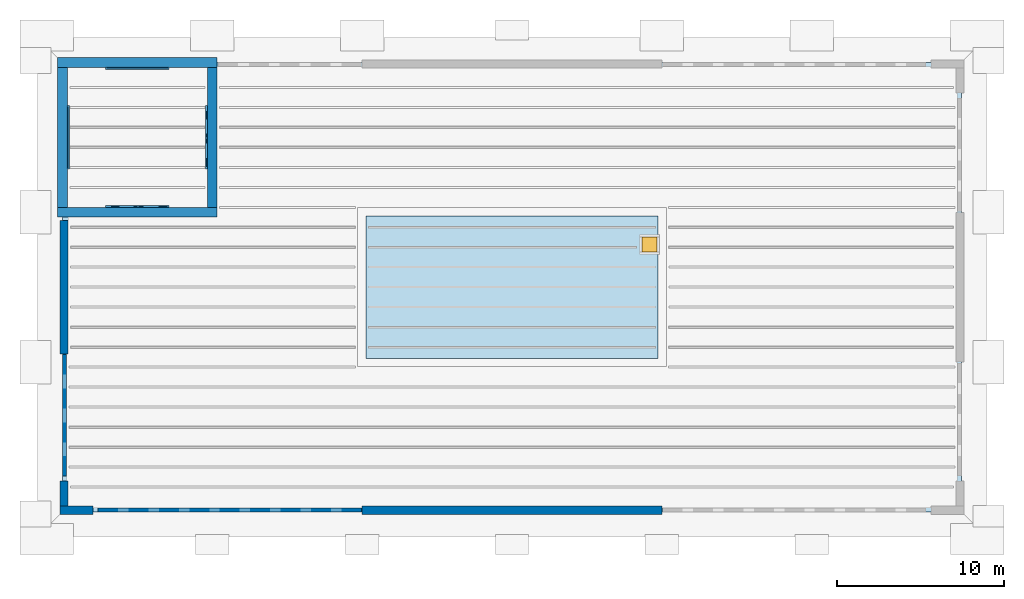
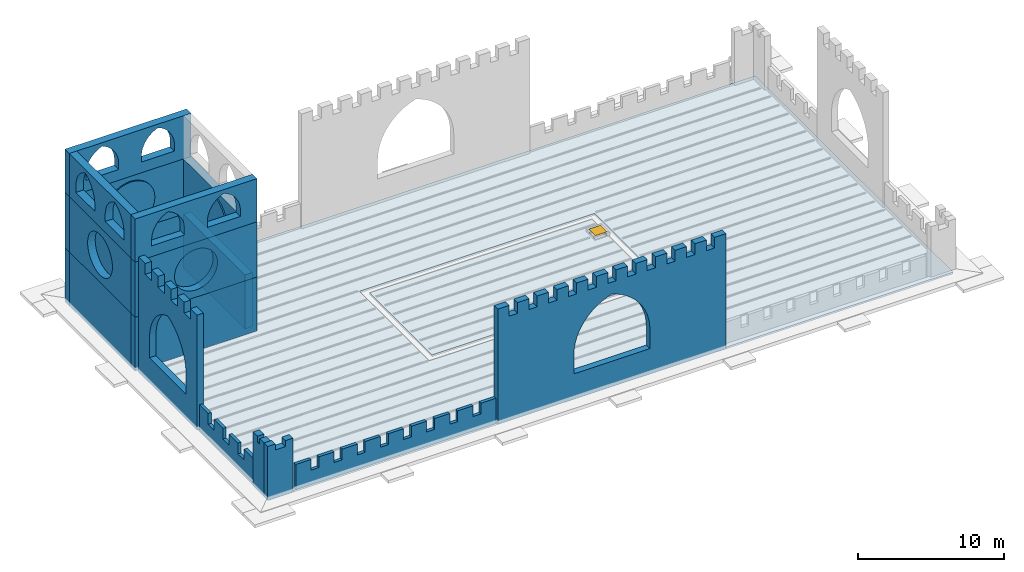
"""IFC4 building model written with IfcOpenShell, lengths in metres."""

from ifc_helpers import new_model, si_unit, direction, frame, origin, origin_2d, place, context, subcontext, project, spatial, polyline, rectangle, outline, extrude, material, layer, layer_set, type_object, element, fill, save


model = new_model("IFC4")

# Units and contexts
model_context = context("Model", 3, precision=1e-05, world=origin(), true_north=direction((0.0, 1.0)))
body_context = subcontext(model_context, "Body", "Model", "MODEL_VIEW")
ifc_project = project(units=[si_unit("LENGTHUNIT", "METRE"), si_unit("AREAUNIT", "SQUARE_METRE"), si_unit("VOLUMEUNIT", "CUBIC_METRE"), si_unit("PLANEANGLEUNIT", "RADIAN"), si_unit("MASSUNIT", "GRAM", prefix="KILO")], contexts=[model_context])

# Site, building, storey
site_placement = place(None, origin())
site = spatial("IfcSite", under=ifc_project, at=site_placement, CompositionType="ELEMENT")
building_placement = place(site_placement, origin())
building = spatial("IfcBuilding", under=site, at=building_placement, Name="Baradari Gate Terminus", CompositionType="ELEMENT")
storey_1_placement = place(building_placement, frame((0.0, 0.0, 36.89990234375)))
storey_1 = spatial("IfcBuildingStorey", under=building, at=storey_1_placement, Name="ROOF", CompositionType="ELEMENT", Elevation=36.89990234375)

# Plates
ifc_material_1 = material(Name="Aluminium 6063-T6", Category="aluminium")
ifc_layer_1 = layer(ifc_material_1, 0.10009765625)
ifc_layer_set_1 = layer_set([ifc_layer_1], Name="Aluminium 6063-T6")
plate_type = type_object("IfcPlateType", Name="Clock dial plate CK-D 3800 dia", PredefinedType="SHEET", material=ifc_layer_set_1)
for number, where, z_axis, x_axis, name in (
    (1, (11.60009765625, 143.64990234375, 4.900146484375), (0.0, 0.0, 1.0), (1.0, 0.0, 0.0), "Clock dial N"),
    (2, (11.60009765625, 135.35009765625, 4.900146484375), (0.0, 0.0, 1.0), (1.0, 0.0, 0.0), "Clock dial S"),
    (3, (17.64990234375, 137.60009765625, 4.900146484375), (0.0, 0.0, 1.0), (0.0, 1.0, 0.0), "Clock dial E"),
    (4, (9.35009765625, 137.60009765625, 4.900146484375), (0.0, 0.0, 1.0), (0.0, 1.0, 0.0), "Clock dial W"),
):
    element("IfcPlate", number, at=place(storey_1_placement, frame(where, z_axis=z_axis, x_axis=x_axis)), inside=storey_1, type_object=plate_type, Name=name, PredefinedType="SHEET", context=body_context, shape_type="SweptSolid", body=[
        extrude(outline(polyline([(3.800048828125, 1.89990234375), (3.763427734375, 2.270751953125), (3.655517578125, 2.626953125), (3.479736328125, 2.95556640625), (3.243408203125, 3.243408203125), (2.95556640625, 3.479736328125), (2.627197265625, 3.6552734375), (2.270751953125, 3.763427734375), (1.89990234375, 3.800048828125), (1.529296875, 3.763427734375), (1.1728515625, 3.6552734375), (0.844482421875, 3.479736328125), (0.556396484375, 3.243408203125), (0.3203125, 2.95556640625), (0.14453125, 2.626953125), (0.03662109375, 2.270751953125), (0.0, 1.89990234375), (0.03662109375, 1.529296875), (0.14453125, 1.1728515625), (0.3203125, 0.84423828125), (0.556396484375, 0.556396484375), (0.844482421875, 0.320068359375), (1.1728515625, 0.14453125), (1.529296875, 0.036376953125), (1.89990234375, 0.0), (2.270751953125, 0.036376953125), (2.627197265625, 0.14453125), (2.95556640625, 0.320068359375), (3.243408203125, 0.556396484375), (3.479736328125, 0.84423828125), (3.655517578125, 1.1728515625), (3.763427734375, 1.529296875), (3.800048828125, 1.89990234375)])), frame((0.0, 0.050048828125, 0.0), z_axis=(0.0, -1.0, 0.0), x_axis=(1.0, 0.0, 0.0)), (0.0, 0.0, 1.0), 0.10009765625),
    ])

# Slab
ifc_material_2 = material(Name="Concrete C35/45", Category="concrete")
ifc_layer_2 = layer(ifc_material_2, 0.14990234375)
ifc_layer_set_2 = layer_set([ifc_layer_2], Name="Concrete C35/45")
slab_type = type_object("IfcSlabType", Name="Composite roof slab SL2 150", PredefinedType="ROOF", material=ifc_layer_set_2)
slab_1_placement = place(storey_1_placement, frame((0.0, 0.0, -0.14990234375)))
element("IfcSlab", 5, at=slab_1_placement, inside=storey_1, type_object=slab_type, Name="Block roof", PredefinedType="ROOF", context=body_context, shape_type="SweptSolid", body=[
    extrude(outline(polyline([(9.0, 144.0), (9.0, 117.0), (63.0, 117.0), (63.0, 144.0), (9.0, 144.0)]), holes=[polyline([(26.72509765625, 125.72509765625), (45.27490234375, 125.72509765625), (45.27490234375, 126.22509765625), (45.27490234375, 134.77490234375), (45.27490234375, 135.27490234375), (26.72509765625, 135.27490234375), (26.72509765625, 134.77490234375), (26.72509765625, 126.22509765625), (26.72509765625, 125.72509765625)])]), origin(), (0.0, 0.0, 1.0), 0.14990234375),
])

# Slab, opening
slab_2_placement = place(storey_1_placement, frame((0.0, 0.0, -0.14990234375)))
slab_2 = element("IfcSlab", 6, at=slab_2_placement, inside=storey_1, type_object=slab_type, Name="Block roof", PredefinedType="ROOF", context=body_context, shape_type="SweptSolid", body=[
    extrude(outline(polyline([(27.22509765625, 134.77490234375), (27.22509765625, 126.22509765625), (44.77490234375, 126.22509765625), (44.77490234375, 134.77490234375), (27.22509765625, 134.77490234375)])), origin(), (0.0, 0.0, 1.0), 0.14990234375),
])
opening_placement = place(slab_2_placement, frame((44.25, 133.050048828125, 0.0)))
opening = element("IfcOpeningElement", 7, at=opening_placement, cuts=slab_2, Name="Opening RH2", PredefinedType="OPENING", context=body_context, shape_type="SweptSolid", body=[
    extrude(rectangle(XDim=0.89990234375, YDim=0.89990234375, at=origin_2d()), frame((0.0, 0.0, -0.010009765625)), (0.0, 0.0, 1.0), 0.469970703125),
])

# Storey
storey_2_placement = place(building_placement, frame((0.0, 0.0, 32.699951171875)))
storey_2 = spatial("IfcBuildingStorey", under=building, at=storey_2_placement, Name="L07", CompositionType="ELEMENT", Elevation=32.699951171875)

# Window
ifc_material_3 = material(Name="Aluminium", Category="aluminium")
window_type = type_object("IfcWindowType", Name="Roof access hatch 900x900", PartitioningType="SINGLE_PANEL", PredefinedType="SKYLIGHT", material=ifc_material_3)
window_placement = place(opening_placement, frame((0.0, 0.0, 0.39990234375)))
window = element("IfcWindow", 8, at=window_placement, inside=storey_2, type_object=window_type, Name="RF/L07/RH5", OverallHeight=0.9, OverallWidth=0.9, PartitioningType="SINGLE_PANEL", PredefinedType="SKYLIGHT", context=body_context, shape_type="SweptSolid", body=[
    extrude(rectangle(XDim=0.89990234375, YDim=0.89990234375, at=origin_2d()), origin(), (0.0, 0.0, 1.0), 0.050048828125),
])

fill(opening, window)

# Walls
ifc_material_4 = material(Name="Precast concrete C40/50", Category="concrete")
ifc_layer_3 = layer(ifc_material_4, 0.60009765625)
ifc_layer_set_3 = layer_set([ifc_layer_3], Name="Precast concrete C40/50")
wall_type_1 = type_object("IfcWallType", Name="Clock tower wall CK-1 600", PredefinedType="SOLIDWALL", material=ifc_layer_set_3)
wall_1_placement = place(storey_1_placement, frame((8.699951171875, 144.0, 0.0), z_axis=(0.0, 0.0, 1.0), x_axis=(1.0, 0.0, 0.0)))
element("IfcWall", 9, at=wall_1_placement, inside=storey_1, type_object=wall_type_1, Name="Clock tower N wall, stage 1", PredefinedType="SOLIDWALL", context=body_context, shape_type="SweptSolid", body=[
    extrude(outline(polyline([(9.60009765625, 0.0), (9.60009765625, 4.5), (0.0, 4.5), (0.0, 0.0), (9.60009765625, 0.0)])), frame((0.0, 0.300048828125, 0.0), z_axis=(0.0, -1.0, 0.0), x_axis=(1.0, 0.0, 0.0)), (0.0, 0.0, 1.0), 0.60009765625),
])
wall_2_placement = place(storey_1_placement, frame((8.699951171875, 144.0, 4.5), z_axis=(0.0, 0.0, 1.0), x_axis=(1.0, 0.0, 0.0)))
element("IfcWall", 10, at=wall_2_placement, inside=storey_1, type_object=wall_type_1, Name="Clock tower N wall, stage 2", PredefinedType="SOLIDWALL", context=body_context, shape_type="SweptSolid", body=[
    extrude(outline(polyline([(9.60009765625, 0.0), (9.60009765625, 4.60009765625), (0.0, 4.60009765625), (0.0, 0.0), (9.60009765625, 0.0)]), holes=[polyline([(6.46728515625, 1.968505859375), (6.37060546875, 1.6494140625), (6.21337890625, 1.355712890625), (6.002197265625, 1.097900390625), (5.744384765625, 0.88671875), (5.45068359375, 0.7294921875), (5.131591796875, 0.6328125), (4.800048828125, 0.60009765625), (4.46826171875, 0.6328125), (4.1494140625, 0.7294921875), (3.85546875, 0.88671875), (3.597900390625, 1.097900390625), (3.386474609375, 1.355712890625), (3.2294921875, 1.6494140625), (3.1328125, 1.968505859375), (3.10009765625, 2.300048828125), (3.1328125, 2.6318359375), (3.2294921875, 2.95068359375), (3.386474609375, 3.24462890625), (3.597900390625, 3.502197265625), (3.85546875, 3.713623046875), (4.1494140625, 3.87060546875), (4.46826171875, 3.96728515625), (4.800048828125, 4.0), (5.131591796875, 3.96728515625), (5.45068359375, 3.87060546875), (5.744384765625, 3.713623046875), (6.002197265625, 3.502197265625), (6.21337890625, 3.24462890625), (6.37060546875, 2.95068359375), (6.46728515625, 2.6318359375), (6.5, 2.300048828125), (6.46728515625, 1.968505859375)])]), frame((0.0, 0.300048828125, 0.0), z_axis=(0.0, -1.0, 0.0), x_axis=(1.0, 0.0, 0.0)), (0.0, 0.0, 1.0), 0.60009765625),
])
wall_3_placement = place(storey_1_placement, frame((8.699951171875, 144.0, 9.10009765625), z_axis=(0.0, 0.0, 1.0), x_axis=(1.0, 0.0, 0.0)))
element("IfcWall", 11, at=wall_3_placement, inside=storey_1, type_object=wall_type_1, Name="Clock tower N wall, stage 3", PredefinedType="SOLIDWALL", context=body_context, shape_type="SweptSolid", body=[
    extrude(outline(polyline([(9.60009765625, 0.0), (9.60009765625, 3.60009765625), (0.0, 3.60009765625), (0.0, 0.0), (9.60009765625, 0.0)]), holes=[polyline([(1.300048828125, 0.89990234375), (1.300048828125, 1.39990234375), (1.310302734375, 1.603515625), (1.340576171875, 1.804931640625), (1.39111328125, 2.00244140625), (1.4609375, 2.19384765625), (1.549560546875, 2.37744140625), (1.656005859375, 2.551025390625), (1.779296875, 2.71337890625), (1.918212890625, 2.8623046875), (2.071533203125, 2.996826171875), (2.2373046875, 3.115478515625), (2.4140625, 3.216796875), (2.60009765625, 3.300048828125), (2.785888671875, 3.216796875), (2.962890625, 3.115478515625), (3.12841796875, 2.996826171875), (3.28173828125, 2.8623046875), (3.420654296875, 2.71337890625), (3.5439453125, 2.551025390625), (3.650390625, 2.37744140625), (3.739013671875, 2.19384765625), (3.808837890625, 2.00244140625), (3.859375, 1.804931640625), (3.889892578125, 1.603515625), (3.89990234375, 1.39990234375), (3.89990234375, 0.89990234375), (1.300048828125, 0.89990234375)]), polyline([(5.699951171875, 0.89990234375), (5.699951171875, 1.39990234375), (5.710205078125, 1.603515625), (5.740478515625, 1.804931640625), (5.791015625, 2.00244140625), (5.86083984375, 2.19384765625), (5.94970703125, 2.37744140625), (6.05615234375, 2.551025390625), (6.179443359375, 2.71337890625), (6.318359375, 2.8623046875), (6.471435546875, 2.996826171875), (6.63720703125, 3.115478515625), (6.81396484375, 3.216796875), (7.0, 3.300048828125), (7.18603515625, 3.216796875), (7.36279296875, 3.115478515625), (7.528564453125, 2.996826171875), (7.681640625, 2.8623046875), (7.820556640625, 2.71337890625), (7.94384765625, 2.551025390625), (8.05029296875, 2.37744140625), (8.13916015625, 2.19384765625), (8.208984375, 2.00244140625), (8.259521484375, 1.804931640625), (8.289794921875, 1.603515625), (8.300048828125, 1.39990234375), (8.300048828125, 0.89990234375), (5.699951171875, 0.89990234375)])]), frame((0.0, 0.300048828125, 0.0), z_axis=(0.0, -1.0, 0.0), x_axis=(1.0, 0.0, 0.0)), (0.0, 0.0, 1.0), 0.60009765625),
])
wall_4_placement = place(storey_1_placement, frame((8.699951171875, 135.0, 0.0), z_axis=(0.0, 0.0, 1.0), x_axis=(1.0, 0.0, 0.0)))
element("IfcWall", 12, at=wall_4_placement, inside=storey_1, type_object=wall_type_1, Name="Clock tower S wall, stage 1", PredefinedType="SOLIDWALL", context=body_context, shape_type="SweptSolid", body=[
    extrude(outline(polyline([(9.60009765625, 0.0), (9.60009765625, 4.5), (0.0, 4.5), (0.0, 0.0), (9.60009765625, 0.0)])), frame((0.0, 0.300048828125, 0.0), z_axis=(0.0, -1.0, 0.0), x_axis=(1.0, 0.0, 0.0)), (0.0, 0.0, 1.0), 0.60009765625),
])
wall_5_placement = place(storey_1_placement, frame((8.699951171875, 135.0, 4.5), z_axis=(0.0, 0.0, 1.0), x_axis=(1.0, 0.0, 0.0)))
element("IfcWall", 13, at=wall_5_placement, inside=storey_1, type_object=wall_type_1, Name="Clock tower S wall, stage 2", PredefinedType="SOLIDWALL", context=body_context, shape_type="SweptSolid", body=[
    extrude(outline(polyline([(9.60009765625, 0.0), (9.60009765625, 4.60009765625), (0.0, 4.60009765625), (0.0, 0.0), (9.60009765625, 0.0)]), holes=[polyline([(6.46728515625, 1.968505859375), (6.37060546875, 1.6494140625), (6.21337890625, 1.355712890625), (6.002197265625, 1.097900390625), (5.744384765625, 0.88671875), (5.45068359375, 0.7294921875), (5.131591796875, 0.6328125), (4.800048828125, 0.60009765625), (4.46826171875, 0.6328125), (4.1494140625, 0.7294921875), (3.85546875, 0.88671875), (3.597900390625, 1.097900390625), (3.386474609375, 1.355712890625), (3.2294921875, 1.6494140625), (3.1328125, 1.968505859375), (3.10009765625, 2.300048828125), (3.1328125, 2.6318359375), (3.2294921875, 2.95068359375), (3.386474609375, 3.24462890625), (3.597900390625, 3.502197265625), (3.85546875, 3.713623046875), (4.1494140625, 3.87060546875), (4.46826171875, 3.96728515625), (4.800048828125, 4.0), (5.131591796875, 3.96728515625), (5.45068359375, 3.87060546875), (5.744384765625, 3.713623046875), (6.002197265625, 3.502197265625), (6.21337890625, 3.24462890625), (6.37060546875, 2.95068359375), (6.46728515625, 2.6318359375), (6.5, 2.300048828125), (6.46728515625, 1.968505859375)])]), frame((0.0, 0.300048828125, 0.0), z_axis=(0.0, -1.0, 0.0), x_axis=(1.0, 0.0, 0.0)), (0.0, 0.0, 1.0), 0.60009765625),
])
wall_6_placement = place(storey_1_placement, frame((8.699951171875, 135.0, 9.10009765625), z_axis=(0.0, 0.0, 1.0), x_axis=(1.0, 0.0, 0.0)))
element("IfcWall", 14, at=wall_6_placement, inside=storey_1, type_object=wall_type_1, Name="Clock tower S wall, stage 3", PredefinedType="SOLIDWALL", context=body_context, shape_type="SweptSolid", body=[
    extrude(outline(polyline([(9.60009765625, 0.0), (9.60009765625, 3.60009765625), (0.0, 3.60009765625), (0.0, 0.0), (9.60009765625, 0.0)]), holes=[polyline([(1.300048828125, 0.89990234375), (1.300048828125, 1.39990234375), (1.310302734375, 1.603515625), (1.340576171875, 1.804931640625), (1.39111328125, 2.00244140625), (1.4609375, 2.19384765625), (1.549560546875, 2.37744140625), (1.656005859375, 2.551025390625), (1.779296875, 2.71337890625), (1.918212890625, 2.8623046875), (2.071533203125, 2.996826171875), (2.2373046875, 3.115478515625), (2.4140625, 3.216796875), (2.60009765625, 3.300048828125), (2.785888671875, 3.216796875), (2.962890625, 3.115478515625), (3.12841796875, 2.996826171875), (3.28173828125, 2.8623046875), (3.420654296875, 2.71337890625), (3.5439453125, 2.551025390625), (3.650390625, 2.37744140625), (3.739013671875, 2.19384765625), (3.808837890625, 2.00244140625), (3.859375, 1.804931640625), (3.889892578125, 1.603515625), (3.89990234375, 1.39990234375), (3.89990234375, 0.89990234375), (1.300048828125, 0.89990234375)]), polyline([(5.699951171875, 0.89990234375), (5.699951171875, 1.39990234375), (5.710205078125, 1.603515625), (5.740478515625, 1.804931640625), (5.791015625, 2.00244140625), (5.86083984375, 2.19384765625), (5.94970703125, 2.37744140625), (6.05615234375, 2.551025390625), (6.179443359375, 2.71337890625), (6.318359375, 2.8623046875), (6.471435546875, 2.996826171875), (6.63720703125, 3.115478515625), (6.81396484375, 3.216796875), (7.0, 3.300048828125), (7.18603515625, 3.216796875), (7.36279296875, 3.115478515625), (7.528564453125, 2.996826171875), (7.681640625, 2.8623046875), (7.820556640625, 2.71337890625), (7.94384765625, 2.551025390625), (8.05029296875, 2.37744140625), (8.13916015625, 2.19384765625), (8.208984375, 2.00244140625), (8.259521484375, 1.804931640625), (8.289794921875, 1.603515625), (8.300048828125, 1.39990234375), (8.300048828125, 0.89990234375), (5.699951171875, 0.89990234375)])]), frame((0.0, 0.300048828125, 0.0), z_axis=(0.0, -1.0, 0.0), x_axis=(1.0, 0.0, 0.0)), (0.0, 0.0, 1.0), 0.60009765625),
])
wall_7_placement = place(storey_1_placement, frame((18.0, 135.300048828125, 0.0), z_axis=(0.0, 0.0, 1.0), x_axis=(0.0, 1.0, 0.0)))
element("IfcWall", 15, at=wall_7_placement, inside=storey_1, type_object=wall_type_1, Name="Clock tower E wall, stage 1", PredefinedType="SOLIDWALL", context=body_context, shape_type="SweptSolid", body=[
    extrude(outline(polyline([(8.39990234375, 0.0), (8.39990234375, 4.5), (0.0, 4.5), (0.0, 0.0), (8.39990234375, 0.0)])), frame((0.0, 0.300048828125, 0.0), z_axis=(0.0, -1.0, 0.0), x_axis=(1.0, 0.0, 0.0)), (0.0, 0.0, 1.0), 0.60009765625),
])
wall_8_placement = place(storey_1_placement, frame((18.0, 135.300048828125, 4.5), z_axis=(0.0, 0.0, 1.0), x_axis=(0.0, 1.0, 0.0)))
element("IfcWall", 16, at=wall_8_placement, inside=storey_1, type_object=wall_type_1, Name="Clock tower E wall, stage 2", PredefinedType="SOLIDWALL", context=body_context, shape_type="SweptSolid", body=[
    extrude(outline(polyline([(8.39990234375, 0.0), (8.39990234375, 4.60009765625), (0.0, 4.60009765625), (0.0, 0.0), (8.39990234375, 0.0)]), holes=[polyline([(5.8671875, 1.968505859375), (5.7705078125, 1.6494140625), (5.613525390625, 1.355712890625), (5.402099609375, 1.097900390625), (5.14453125, 0.88671875), (4.8505859375, 0.7294921875), (4.53173828125, 0.6328125), (4.199951171875, 0.60009765625), (3.868408203125, 0.6328125), (3.54931640625, 0.7294921875), (3.255615234375, 0.88671875), (2.997802734375, 1.097900390625), (2.78662109375, 1.355712890625), (2.62939453125, 1.6494140625), (2.53271484375, 1.968505859375), (2.5, 2.300048828125), (2.53271484375, 2.6318359375), (2.62939453125, 2.95068359375), (2.78662109375, 3.24462890625), (2.997802734375, 3.502197265625), (3.255615234375, 3.713623046875), (3.54931640625, 3.87060546875), (3.868408203125, 3.96728515625), (4.199951171875, 4.0), (4.53173828125, 3.96728515625), (4.8505859375, 3.87060546875), (5.14453125, 3.713623046875), (5.402099609375, 3.502197265625), (5.613525390625, 3.24462890625), (5.7705078125, 2.95068359375), (5.8671875, 2.6318359375), (5.89990234375, 2.300048828125), (5.8671875, 1.968505859375)])]), frame((0.0, 0.300048828125, 0.0), z_axis=(0.0, -1.0, 0.0), x_axis=(1.0, 0.0, 0.0)), (0.0, 0.0, 1.0), 0.60009765625),
])
wall_9_placement = place(storey_1_placement, frame((9.0, 135.300048828125, 0.0), z_axis=(0.0, 0.0, 1.0), x_axis=(0.0, 1.0, 0.0)))
element("IfcWall", 17, at=wall_9_placement, inside=storey_1, type_object=wall_type_1, Name="Clock tower W wall, stage 1", PredefinedType="SOLIDWALL", context=body_context, shape_type="SweptSolid", body=[
    extrude(outline(polyline([(8.39990234375, 0.0), (8.39990234375, 4.5), (0.0, 4.5), (0.0, 0.0), (8.39990234375, 0.0)])), frame((0.0, 0.300048828125, 0.0), z_axis=(0.0, -1.0, 0.0), x_axis=(1.0, 0.0, 0.0)), (0.0, 0.0, 1.0), 0.60009765625),
])
wall_10_placement = place(storey_1_placement, frame((9.0, 135.300048828125, 4.5), z_axis=(0.0, 0.0, 1.0), x_axis=(0.0, 1.0, 0.0)))
element("IfcWall", 18, at=wall_10_placement, inside=storey_1, type_object=wall_type_1, Name="Clock tower W wall, stage 2", PredefinedType="SOLIDWALL", context=body_context, shape_type="SweptSolid", body=[
    extrude(outline(polyline([(8.39990234375, 0.0), (8.39990234375, 4.60009765625), (0.0, 4.60009765625), (0.0, 0.0), (8.39990234375, 0.0)]), holes=[polyline([(5.8671875, 1.968505859375), (5.7705078125, 1.6494140625), (5.613525390625, 1.355712890625), (5.402099609375, 1.097900390625), (5.14453125, 0.88671875), (4.8505859375, 0.7294921875), (4.53173828125, 0.6328125), (4.199951171875, 0.60009765625), (3.868408203125, 0.6328125), (3.54931640625, 0.7294921875), (3.255615234375, 0.88671875), (2.997802734375, 1.097900390625), (2.78662109375, 1.355712890625), (2.62939453125, 1.6494140625), (2.53271484375, 1.968505859375), (2.5, 2.300048828125), (2.53271484375, 2.6318359375), (2.62939453125, 2.95068359375), (2.78662109375, 3.24462890625), (2.997802734375, 3.502197265625), (3.255615234375, 3.713623046875), (3.54931640625, 3.87060546875), (3.868408203125, 3.96728515625), (4.199951171875, 4.0), (4.53173828125, 3.96728515625), (4.8505859375, 3.87060546875), (5.14453125, 3.713623046875), (5.402099609375, 3.502197265625), (5.613525390625, 3.24462890625), (5.7705078125, 2.95068359375), (5.8671875, 2.6318359375), (5.89990234375, 2.300048828125), (5.8671875, 1.968505859375)])]), frame((0.0, 0.300048828125, 0.0), z_axis=(0.0, -1.0, 0.0), x_axis=(1.0, 0.0, 0.0)), (0.0, 0.0, 1.0), 0.60009765625),
])
wall_11_placement = place(storey_1_placement, frame((9.0, 135.300048828125, 9.10009765625), z_axis=(0.0, 0.0, 1.0), x_axis=(0.0, 1.0, 0.0)))
element("IfcWall", 19, at=wall_11_placement, inside=storey_1, type_object=wall_type_1, Name="Clock tower W wall, stage 3", PredefinedType="SOLIDWALL", context=body_context, shape_type="SweptSolid", body=[
    extrude(outline(polyline([(8.39990234375, 0.0), (8.39990234375, 3.60009765625), (0.0, 3.60009765625), (0.0, 0.0), (8.39990234375, 0.0)]), holes=[polyline([(0.89990234375, 0.89990234375), (0.89990234375, 1.39990234375), (0.91015625, 1.603515625), (0.940673828125, 1.804931640625), (0.9912109375, 2.00244140625), (1.060791015625, 2.19384765625), (1.149658203125, 2.37744140625), (1.256103515625, 2.551025390625), (1.37939453125, 2.71337890625), (1.518310546875, 2.8623046875), (1.67138671875, 2.996826171875), (1.837158203125, 3.115478515625), (2.013916015625, 3.216796875), (2.199951171875, 3.300048828125), (2.385986328125, 3.216796875), (2.562744140625, 3.115478515625), (2.728515625, 2.996826171875), (2.881591796875, 2.8623046875), (3.0205078125, 2.71337890625), (3.143798828125, 2.551025390625), (3.25048828125, 2.37744140625), (3.339111328125, 2.19384765625), (3.408935546875, 2.00244140625), (3.45947265625, 1.804931640625), (3.48974609375, 1.603515625), (3.5, 1.39990234375), (3.5, 0.89990234375), (0.89990234375, 0.89990234375)]), polyline([(4.89990234375, 0.89990234375), (4.89990234375, 1.39990234375), (4.91015625, 1.603515625), (4.940673828125, 1.804931640625), (4.9912109375, 2.00244140625), (5.060791015625, 2.19384765625), (5.149658203125, 2.37744140625), (5.256103515625, 2.551025390625), (5.37939453125, 2.71337890625), (5.518310546875, 2.8623046875), (5.67138671875, 2.996826171875), (5.837158203125, 3.115478515625), (6.013916015625, 3.216796875), (6.199951171875, 3.300048828125), (6.385986328125, 3.216796875), (6.562744140625, 3.115478515625), (6.728515625, 2.996826171875), (6.881591796875, 2.8623046875), (7.0205078125, 2.71337890625), (7.143798828125, 2.551025390625), (7.25048828125, 2.37744140625), (7.339111328125, 2.19384765625), (7.408935546875, 2.00244140625), (7.45947265625, 1.804931640625), (7.48974609375, 1.603515625), (7.5, 1.39990234375), (7.5, 0.89990234375), (4.89990234375, 0.89990234375)])]), frame((0.0, 0.300048828125, 0.0), z_axis=(0.0, -1.0, 0.0), x_axis=(1.0, 0.0, 0.0)), (0.0, 0.0, 1.0), 0.60009765625),
])
ifc_material_5 = material(Name="Precast concrete C40/50", Category="concrete")
ifc_layer_4 = layer(ifc_material_5, 0.5)
ifc_layer_set_4 = layer_set([ifc_layer_4], Name="Precast concrete C40/50")
wall_type_2 = type_object("IfcWallType", Name="Crest screen wall CS-1 500", PredefinedType="SOLIDWALL", material=ifc_layer_set_4)
wall_12_placement = place(storey_1_placement, frame((27.0, 117.10009765625, 0.0), z_axis=(0.0, 0.0, 1.0), x_axis=(1.0, 0.0, 0.0)))
element("IfcWall", 20, at=wall_12_placement, inside=storey_1, type_object=wall_type_2, Name="Crest screen S", PredefinedType="SOLIDWALL", context=body_context, shape_type="SweptSolid", body=[
    extrude(outline(polyline([(0.0, 0.0), (18.0, 0.0), (18.0, 8.7001953125), (18.0, 8.7001953125), (18.0, 9.60009765625), (17.10009765625, 9.60009765625), (17.10009765625, 8.7001953125), (16.445556640625, 8.7001953125), (16.445556640625, 9.60009765625), (15.54541015625, 9.60009765625), (15.54541015625, 8.7001953125), (14.890869140625, 8.7001953125), (14.890869140625, 9.60009765625), (13.990966796875, 9.60009765625), (13.990966796875, 8.7001953125), (13.33642578125, 8.7001953125), (13.33642578125, 9.60009765625), (12.436279296875, 9.60009765625), (12.436279296875, 8.7001953125), (11.78173828125, 8.7001953125), (11.78173828125, 9.60009765625), (10.8818359375, 9.60009765625), (10.8818359375, 8.7001953125), (10.227294921875, 8.7001953125), (10.227294921875, 9.60009765625), (9.327392578125, 9.60009765625), (9.327392578125, 8.7001953125), (8.672607421875, 8.7001953125), (8.672607421875, 9.60009765625), (7.772705078125, 9.60009765625), (7.772705078125, 8.7001953125), (7.1181640625, 8.7001953125), (7.1181640625, 9.60009765625), (6.21826171875, 9.60009765625), (6.21826171875, 8.7001953125), (5.563720703125, 8.7001953125), (5.563720703125, 9.60009765625), (4.66357421875, 9.60009765625), (4.66357421875, 8.7001953125), (4.009033203125, 8.7001953125), (4.009033203125, 9.60009765625), (3.109130859375, 9.60009765625), (3.109130859375, 8.7001953125), (2.45458984375, 8.7001953125), (2.45458984375, 9.60009765625), (1.554443359375, 9.60009765625), (1.554443359375, 8.7001953125), (0.89990234375, 8.7001953125), (0.89990234375, 9.60009765625), (0.0, 9.60009765625), (0.0, 8.7001953125), (0.0, 8.650146484375), (0.0, 0.0)]), holes=[polyline([(6.0, 2.10009765625), (6.0, 3.7001953125), (6.02392578125, 4.14599609375), (6.095458984375, 4.5869140625), (6.2138671875, 5.017578125), (6.377685546875, 5.433349609375), (6.5849609375, 5.828857421875), (6.833251953125, 6.2001953125), (7.1201171875, 6.54248046875), (7.44189453125, 6.852294921875), (7.794921875, 7.1259765625), (8.17529296875, 7.360107421875), (8.57861328125, 7.55224609375), (9.0, 7.7001953125), (9.42138671875, 7.55224609375), (9.82470703125, 7.360107421875), (10.205078125, 7.1259765625), (10.55810546875, 6.852294921875), (10.8798828125, 6.54248046875), (11.166748046875, 6.2001953125), (11.4150390625, 5.828857421875), (11.622314453125, 5.433349609375), (11.7861328125, 5.017578125), (11.904541015625, 4.5869140625), (11.97607421875, 4.14599609375), (12.0, 3.7001953125), (12.0, 2.10009765625), (6.0, 2.10009765625)])]), frame((0.0, 0.25, 0.0), z_axis=(0.0, -1.0, 0.0), x_axis=(1.0, 0.0, 0.0)), (0.0, 0.0, 1.0), 0.5),
])
wall_13_placement = place(storey_1_placement, frame((9.10009765625, 126.5, 0.0), z_axis=(0.0, 0.0, 1.0), x_axis=(0.0, 1.0, 0.0)))
element("IfcWall", 21, at=wall_13_placement, inside=storey_1, type_object=wall_type_2, Name="Crest screen W", PredefinedType="SOLIDWALL", context=body_context, shape_type="SweptSolid", body=[
    extrude(outline(polyline([(8.0, 8.650146484375), (8.0, 8.7001953125), (8.0, 9.60009765625), (7.10009765625, 9.60009765625), (7.10009765625, 8.7001953125), (6.22509765625, 8.7001953125), (6.22509765625, 9.60009765625), (5.324951171875, 9.60009765625), (5.324951171875, 8.7001953125), (4.449951171875, 8.7001953125), (4.449951171875, 9.60009765625), (3.550048828125, 9.60009765625), (3.550048828125, 8.7001953125), (2.675048828125, 8.7001953125), (2.675048828125, 9.60009765625), (1.77490234375, 9.60009765625), (1.77490234375, 8.7001953125), (0.89990234375, 8.7001953125), (0.89990234375, 9.60009765625), (0.0, 9.60009765625), (0.0, 8.7001953125), (0.0, 8.650146484375), (0.0, 0.0), (8.0, 0.0), (8.0, 8.650146484375)]), holes=[polyline([(1.5, 2.10009765625), (1.5, 3.7001953125), (1.52001953125, 4.07568359375), (1.579345703125, 4.447265625), (1.677490234375, 4.810546875), (1.8134765625, 5.161376953125), (1.985595703125, 5.49560546875), (2.1923828125, 5.810302734375), (2.430908203125, 6.10107421875), (2.69873046875, 6.365234375), (2.992919921875, 6.599609375), (3.310302734375, 6.8017578125), (3.647216796875, 6.968994140625), (4.0, 7.10009765625), (4.352783203125, 6.968994140625), (4.689697265625, 6.8017578125), (5.007080078125, 6.599609375), (5.30126953125, 6.365234375), (5.569091796875, 6.10107421875), (5.8076171875, 5.810302734375), (6.014404296875, 5.49560546875), (6.1865234375, 5.161376953125), (6.322509765625, 4.810546875), (6.420654296875, 4.447265625), (6.47998046875, 4.07568359375), (6.5, 3.7001953125), (6.5, 2.10009765625), (1.5, 2.10009765625)])]), frame((0.0, 0.25, 0.0), z_axis=(0.0, -1.0, 0.0), x_axis=(1.0, 0.0, 0.0)), (0.0, 0.0, 1.0), 0.5),
])
wall_14_placement = place(storey_1_placement, frame((8.85009765625, 117.10009765625, 0.0), z_axis=(0.0, 0.0, 1.0), x_axis=(1.0, 0.0, 0.0)))
element("IfcWall", 22, at=wall_14_placement, inside=storey_1, type_object=wall_type_2, Name="Corner block 3A", PredefinedType="SOLIDWALL", context=body_context, shape_type="SweptSolid", body=[
    extrude(outline(polyline([(2.0, 3.9501953125), (2.0, 4.0), (2.0, 4.5), (1.39990234375, 4.5), (1.39990234375, 4.0), (0.60009765625, 4.0), (0.60009765625, 4.5), (0.0, 4.5), (0.0, 4.0), (0.0, 3.9501953125), (0.0, 0.0), (2.0, 0.0), (2.0, 3.9501953125)])), frame((0.0, 0.25, 0.0), z_axis=(0.0, -1.0, 0.0), x_axis=(1.0, 0.0, 0.0)), (0.0, 0.0, 1.0), 0.5),
])
wall_15_placement = place(storey_1_placement, frame((9.10009765625, 117.35009765625, 0.0), z_axis=(0.0, 0.0, 1.0), x_axis=(0.0, 1.0, 0.0)))
element("IfcWall", 23, at=wall_15_placement, inside=storey_1, type_object=wall_type_2, Name="Corner block 3B", PredefinedType="SOLIDWALL", context=body_context, shape_type="SweptSolid", body=[
    extrude(outline(polyline([(1.5, 3.9501953125), (1.5, 4.0), (1.5, 4.5), (0.89990234375, 4.5), (0.89990234375, 4.0), (0.60009765625, 4.0), (0.60009765625, 4.5), (0.0, 4.5), (0.0, 4.0), (0.0, 3.9501953125), (0.0, 0.0), (1.5, 0.0), (1.5, 3.9501953125)])), frame((0.0, 0.25, 0.0), z_axis=(0.0, -1.0, 0.0), x_axis=(1.0, 0.0, 0.0)), (0.0, 0.0, 1.0), 0.5),
])
ifc_material_6 = material(Name="Concrete C32/40 precast", Category="concrete")
ifc_layer_5 = layer(ifc_material_6, 0.25)
ifc_layer_set_5 = layer_set([ifc_layer_5], Name="Concrete C32/40 precast")
wall_type_3 = type_object("IfcWallType", Name="Parapet PW-5 250x2100 Operations crown", PredefinedType="PARAPET", material=ifc_layer_set_5)
wall_16_placement = place(storey_1_placement, frame((11.14990234375, 117.125, 0.0), z_axis=(0.0, 0.0, 1.0), x_axis=(1.0, 0.0, 0.0)))
element("IfcWall", 24, at=wall_16_placement, inside=storey_1, type_object=wall_type_3, Name="Block roof parapet PR-T1 1 1", PredefinedType="PARAPET", context=body_context, shape_type="SweptSolid", body=[
    extrude(outline(polyline([(1.199951171875, 1.2001953125), (1.199951171875, 2.10009765625), (0.0, 2.10009765625), (0.0, 0.0), (15.800048828125, 0.0), (15.800048828125, 2.10009765625), (14.60009765625, 2.10009765625), (14.60009765625, 1.2001953125), (13.97509765625, 1.2001953125), (13.97509765625, 2.10009765625), (12.77490234375, 2.10009765625), (12.77490234375, 1.2001953125), (12.14990234375, 1.2001953125), (12.14990234375, 2.10009765625), (10.949951171875, 2.10009765625), (10.949951171875, 1.2001953125), (10.324951171875, 1.2001953125), (10.324951171875, 2.10009765625), (9.125, 2.10009765625), (9.125, 1.2001953125), (8.5, 1.2001953125), (8.5, 2.10009765625), (7.300048828125, 2.10009765625), (7.300048828125, 1.2001953125), (6.675048828125, 1.2001953125), (6.675048828125, 2.10009765625), (5.47509765625, 2.10009765625), (5.47509765625, 1.2001953125), (4.85009765625, 1.2001953125), (4.85009765625, 2.10009765625), (3.64990234375, 2.10009765625), (3.64990234375, 1.2001953125), (3.02490234375, 1.2001953125), (3.02490234375, 2.10009765625), (1.824951171875, 2.10009765625), (1.824951171875, 1.2001953125), (1.199951171875, 1.2001953125)])), frame((0.0, 0.125, 0.0), z_axis=(0.0, -1.0, 0.0), x_axis=(1.0, 0.0, 0.0)), (0.0, 0.0, 1.0), 0.25),
])
wall_17_placement = place(storey_1_placement, frame((9.125, 126.449951171875, 0.0), z_axis=(0.0, 0.0, 1.0), x_axis=(0.0, -1.0, 0.0)))
element("IfcWall", 25, at=wall_17_placement, inside=storey_1, type_object=wall_type_3, Name="Block roof parapet PR-T4 1 1", PredefinedType="PARAPET", context=body_context, shape_type="SweptSolid", body=[
    extrude(outline(polyline([(7.300048828125, 0.0), (7.300048828125, 2.10009765625), (6.10009765625, 2.10009765625), (6.10009765625, 1.2001953125), (5.2666015625, 1.2001953125), (5.2666015625, 2.10009765625), (4.066650390625, 2.10009765625), (4.066650390625, 1.2001953125), (3.2333984375, 1.2001953125), (3.2333984375, 2.10009765625), (2.033203125, 2.10009765625), (2.033203125, 1.2001953125), (1.199951171875, 1.2001953125), (1.199951171875, 2.10009765625), (0.0, 2.10009765625), (0.0, 0.0), (7.300048828125, 0.0)])), frame((0.0, 0.125, 0.0), z_axis=(0.0, -1.0, 0.0), x_axis=(1.0, 0.0, 0.0)), (0.0, 0.0, 1.0), 0.25),
])

save(model, "model.ifc")
